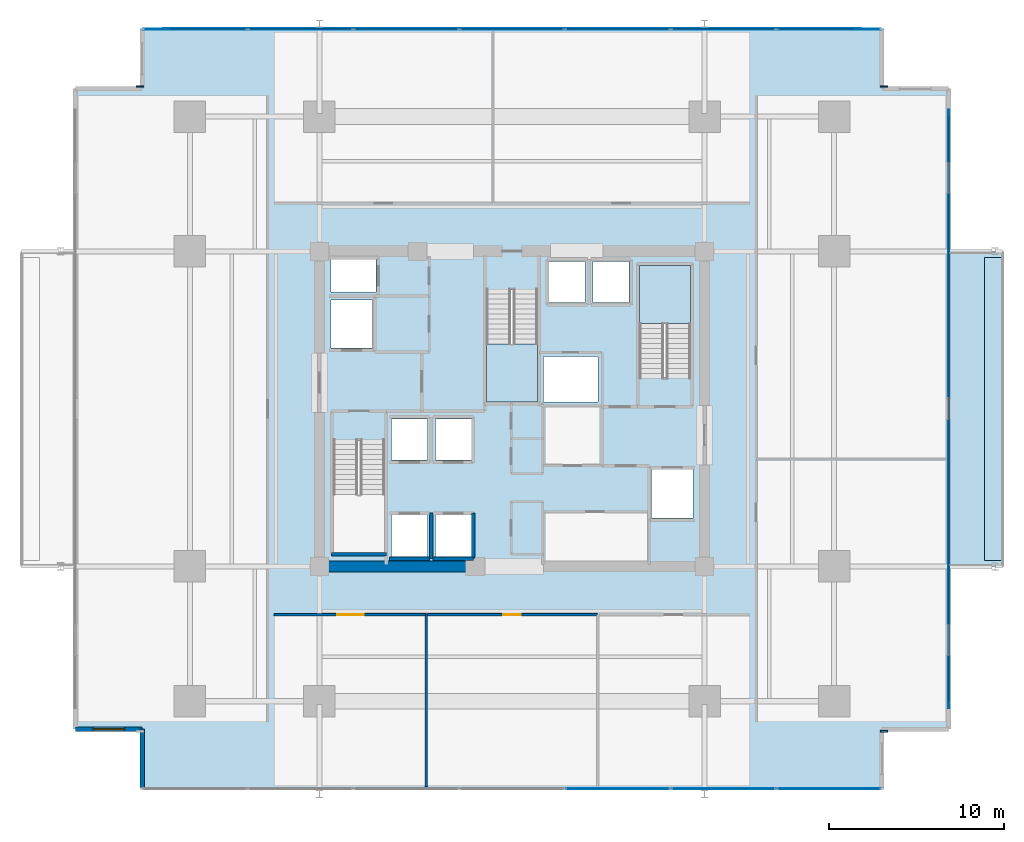
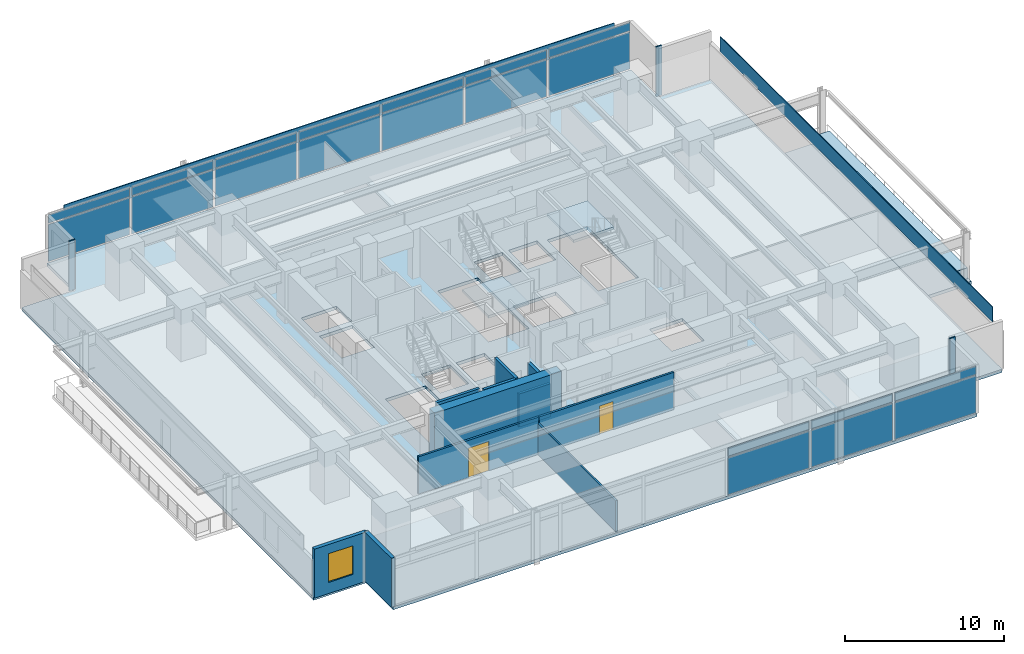
# One storey, part 14 of 21: 27 plates, 11 walls, 5 slabs, 2 doors, 1 window, 3 openings, 4 elements without a shape of their own.
"""IFC4 building model written with IfcOpenShell, lengths in metres."""

from ifc_helpers import new_model, si_unit, direction, frame, frame_2d, origin, origin_2d, place, context, subcontext, project, spatial, polyline, rectangle, outline, extrude, material, layer, layer_set, type_object, element, fill, aggregate, save


model = new_model("IFC4")

# Units and contexts
model_context = context("Model", 3, precision=1e-05, world=origin(), true_north=direction((0.0, 1.0)))
body_context = subcontext(model_context, "Body", "Model", "MODEL_VIEW")
ifc_project = project(units=[si_unit("LENGTHUNIT", "METRE"), si_unit("AREAUNIT", "SQUARE_METRE"), si_unit("VOLUMEUNIT", "CUBIC_METRE"), si_unit("PLANEANGLEUNIT", "RADIAN"), si_unit("MASSUNIT", "GRAM", prefix="KILO")], contexts=[model_context])

# Site, building, storey
site_placement = place(None, origin())
site = spatial("IfcSite", under=ifc_project, at=site_placement, CompositionType="ELEMENT")
building_placement = place(site_placement, origin())
building = spatial("IfcBuilding", under=site, at=building_placement, Name="Kovane Verandah Tower", CompositionType="ELEMENT")
storey_placement = place(building_placement, frame((0.0, 0.0, 31.60009765625)))
storey = spatial("IfcBuildingStorey", under=building, at=storey_placement, Name="L06", CompositionType="ELEMENT", Elevation=31.60009765625)

# Curtain wall, plates
ifc_material_1 = material(Name="Champagne Anodised Aluminium Frame with Low-E Clear Laminated Glass", Category="aluminium")
curtain_wall_type = type_object("IfcCurtainWallType", Name="CW-SYS-02-LOW", PredefinedType="NOTDEFINED", material=ifc_material_1)
curtain_wall_1_placement = place(storey_placement, origin())
curtain_wall_1 = element("IfcCurtainWall", 1, at=curtain_wall_1_placement, inside=storey, type_object=curtain_wall_type, Name="L06 S Unitised Curtain Wall", PredefinedType="NOTDEFINED")
ifc_material_2 = material(Name="Pale Champagne Anodised Aluminium Insulated Spandrel", Category="aluminium")
ifc_layer_1 = layer(ifc_material_2, 0.0400390625)
ifc_layer_set_1 = layer_set([ifc_layer_1], Name="Pale Champagne Anodised Aluminium Insulated Spandrel")
plate_type_1 = type_object("IfcPlateType", Name="PL-CW-SPD-40", PredefinedType="SHEET", material=ifc_layer_set_1)
plate_1_placement = place(storey_placement, frame((46.038818359375, 5.804931640625, 3.02978515625), z_axis=(0.0, 0.0, 1.0), x_axis=(1.0, 0.0, 0.0)))
plate_1 = element("IfcPlate", 2, at=plate_1_placement, type_object=plate_type_1, Name="L06 S Unitised Curtain Wall Spandrel Panel 5", PredefinedType="SHEET", context=body_context, shape_type="SweptSolid", body=[
    extrude(rectangle(XDim=5.898681640625, YDim=0.0400390625, at=origin_2d()), origin(), (0.0, 0.0, 1.0), 0.639892578125),
])
plate_2_placement = place(storey_placement, frame((52.077392578125, 5.804931640625, 3.02978515625), z_axis=(0.0, 0.0, 1.0), x_axis=(1.0, 0.0, 0.0)))
plate_2 = element("IfcPlate", 3, at=plate_2_placement, type_object=plate_type_1, Name="L06 S Unitised Curtain Wall Spandrel Panel 6", PredefinedType="SHEET", context=body_context, shape_type="SweptSolid", body=[
    extrude(rectangle(XDim=5.898681640625, YDim=0.0400390625, at=origin_2d()), origin(), (0.0, 0.0, 1.0), 0.639892578125),
])
plate_3_placement = place(storey_placement, frame((58.1162109375, 5.804931640625, 3.02978515625), z_axis=(0.0, 0.0, 1.0), x_axis=(1.0, 0.0, 0.0)))
plate_3 = element("IfcPlate", 4, at=plate_3_placement, type_object=plate_type_1, Name="L06 S Unitised Curtain Wall Spandrel Panel 7", PredefinedType="SHEET", context=body_context, shape_type="SweptSolid", body=[
    extrude(rectangle(XDim=5.898681640625, YDim=0.0400390625, at=origin_2d()), origin(), (0.0, 0.0, 1.0), 0.639892578125),
])

curtain_wall_2_placement = place(storey_placement, origin())
curtain_wall_2 = element("IfcCurtainWall", 5, at=curtain_wall_2_placement, inside=storey, type_object=curtain_wall_type, Name="L06 N Unitised Curtain Wall", PredefinedType="NOTDEFINED")
plate_4_placement = place(storey_placement, frame((58.1162109375, 49.195068359375, 3.02978515625), z_axis=(0.0, 0.0, 1.0), x_axis=(-1.0, 0.0, 0.0)))
plate_4 = element("IfcPlate", 6, at=plate_4_placement, type_object=plate_type_1, Name="L06 N Unitised Curtain Wall Spandrel Panel 1", PredefinedType="SHEET", context=body_context, shape_type="SweptSolid", body=[
    extrude(rectangle(XDim=5.898681640625, YDim=0.0400390625, at=origin_2d()), origin(), (0.0, 0.0, 1.0), 0.639892578125),
])
plate_5_placement = place(storey_placement, frame((52.077392578125, 49.195068359375, 3.02978515625), z_axis=(0.0, 0.0, 1.0), x_axis=(-1.0, 0.0, 0.0)))
plate_5 = element("IfcPlate", 7, at=plate_5_placement, type_object=plate_type_1, Name="L06 N Unitised Curtain Wall Spandrel Panel 2", PredefinedType="SHEET", context=body_context, shape_type="SweptSolid", body=[
    extrude(rectangle(XDim=5.898681640625, YDim=0.0400390625, at=origin_2d()), origin(), (0.0, 0.0, 1.0), 0.639892578125),
])
plate_6_placement = place(storey_placement, frame((46.038818359375, 49.195068359375, 3.02978515625), z_axis=(0.0, 0.0, 1.0), x_axis=(-1.0, 0.0, 0.0)))
plate_6 = element("IfcPlate", 8, at=plate_6_placement, type_object=plate_type_1, Name="L06 N Unitised Curtain Wall Spandrel Panel 3", PredefinedType="SHEET", context=body_context, shape_type="SweptSolid", body=[
    extrude(rectangle(XDim=5.898681640625, YDim=0.0400390625, at=origin_2d()), origin(), (0.0, 0.0, 1.0), 0.639892578125),
])
plate_7_placement = place(storey_placement, frame((40.0, 49.195068359375, 3.02978515625), z_axis=(0.0, 0.0, 1.0), x_axis=(-1.0, 0.0, 0.0)))
plate_7 = element("IfcPlate", 9, at=plate_7_placement, type_object=plate_type_1, Name="L06 N Unitised Curtain Wall Spandrel Panel 4", PredefinedType="SHEET", context=body_context, shape_type="SweptSolid", body=[
    extrude(rectangle(XDim=5.898681640625, YDim=0.0400390625, at=origin_2d()), origin(), (0.0, 0.0, 1.0), 0.639892578125),
])
plate_8_placement = place(storey_placement, frame((33.961181640625, 49.195068359375, 3.02978515625), z_axis=(0.0, 0.0, 1.0), x_axis=(-1.0, 0.0, 0.0)))
plate_8 = element("IfcPlate", 10, at=plate_8_placement, type_object=plate_type_1, Name="L06 N Unitised Curtain Wall Spandrel Panel 5", PredefinedType="SHEET", context=body_context, shape_type="SweptSolid", body=[
    extrude(rectangle(XDim=5.898681640625, YDim=0.0400390625, at=origin_2d()), origin(), (0.0, 0.0, 1.0), 0.639892578125),
])
plate_9_placement = place(storey_placement, frame((27.922607421875, 49.195068359375, 3.02978515625), z_axis=(0.0, 0.0, 1.0), x_axis=(-1.0, 0.0, 0.0)))
plate_9 = element("IfcPlate", 11, at=plate_9_placement, type_object=plate_type_1, Name="L06 N Unitised Curtain Wall Spandrel Panel 6", PredefinedType="SHEET", context=body_context, shape_type="SweptSolid", body=[
    extrude(rectangle(XDim=5.898681640625, YDim=0.0400390625, at=origin_2d()), origin(), (0.0, 0.0, 1.0), 0.639892578125),
])
plate_10_placement = place(storey_placement, frame((21.8837890625, 49.195068359375, 3.02978515625), z_axis=(0.0, 0.0, 1.0), x_axis=(-1.0, 0.0, 0.0)))
plate_10 = element("IfcPlate", 12, at=plate_10_placement, type_object=plate_type_1, Name="L06 N Unitised Curtain Wall Spandrel Panel 7", PredefinedType="SHEET", context=body_context, shape_type="SweptSolid", body=[
    extrude(rectangle(XDim=5.898681640625, YDim=0.0400390625, at=origin_2d()), origin(), (0.0, 0.0, 1.0), 0.639892578125),
])

# Plate
ifc_material_3 = material(Name="Clear Low-E Laminated Double Glazing", Category="glass")
ifc_layer_2 = layer(ifc_material_3, 0.031982421875)
ifc_layer_set_2 = layer_set([ifc_layer_2], Name="Clear Low-E Laminated Double Glazing")
plate_type_2 = type_object("IfcPlateType", Name="PL-CW-VIS-32", PredefinedType="CURTAIN_PANEL", material=ifc_layer_set_2)
plate_11_placement = place(storey_placement, frame((46.038818359375, 5.804931640625, 0.099853515625), z_axis=(0.0, 0.0, 1.0), x_axis=(1.0, 0.0, 0.0)))
plate_11 = element("IfcPlate", 13, at=plate_11_placement, type_object=plate_type_2, Name="L06 S Unitised Curtain Wall Vision Panel 5", PredefinedType="CURTAIN_PANEL", context=body_context, shape_type="SweptSolid", body=[
    extrude(rectangle(XDim=5.898681640625, YDim=0.031982421875, at=origin_2d()), origin(), (0.0, 0.0, 1.0), 2.830078125),
])

plate_12_placement = place(storey_placement, frame((52.077392578125, 5.804931640625, 0.099853515625), z_axis=(0.0, 0.0, 1.0), x_axis=(1.0, 0.0, 0.0)))
plate_12 = element("IfcPlate", 14, at=plate_12_placement, type_object=plate_type_2, Name="L06 S Unitised Curtain Wall Vision Panel 6", PredefinedType="CURTAIN_PANEL", context=body_context, shape_type="SweptSolid", body=[
    extrude(rectangle(XDim=5.898681640625, YDim=0.031982421875, at=origin_2d()), origin(), (0.0, 0.0, 1.0), 2.830078125),
])

plate_13_placement = place(storey_placement, frame((58.1162109375, 5.804931640625, 0.099853515625), z_axis=(0.0, 0.0, 1.0), x_axis=(1.0, 0.0, 0.0)))
plate_13 = element("IfcPlate", 15, at=plate_13_placement, type_object=plate_type_2, Name="L06 S Unitised Curtain Wall Vision Panel 7", PredefinedType="CURTAIN_PANEL", context=body_context, shape_type="SweptSolid", body=[
    extrude(rectangle(XDim=5.898681640625, YDim=0.031982421875, at=origin_2d()), origin(), (0.0, 0.0, 1.0), 2.830078125),
])

aggregate(curtain_wall_1, [plate_11, plate_1, plate_12, plate_2, plate_13, plate_3])

plate_14_placement = place(storey_placement, frame((58.1162109375, 49.195068359375, 0.099853515625), z_axis=(0.0, 0.0, 1.0), x_axis=(-1.0, 0.0, 0.0)))
plate_14 = element("IfcPlate", 16, at=plate_14_placement, type_object=plate_type_2, Name="L06 N Unitised Curtain Wall Vision Panel 1", PredefinedType="CURTAIN_PANEL", context=body_context, shape_type="SweptSolid", body=[
    extrude(rectangle(XDim=5.898681640625, YDim=0.031982421875, at=origin_2d()), origin(), (0.0, 0.0, 1.0), 2.830078125),
])

plate_15_placement = place(storey_placement, frame((52.077392578125, 49.195068359375, 0.099853515625), z_axis=(0.0, 0.0, 1.0), x_axis=(-1.0, 0.0, 0.0)))
plate_15 = element("IfcPlate", 17, at=plate_15_placement, type_object=plate_type_2, Name="L06 N Unitised Curtain Wall Vision Panel 2", PredefinedType="CURTAIN_PANEL", context=body_context, shape_type="SweptSolid", body=[
    extrude(rectangle(XDim=5.898681640625, YDim=0.031982421875, at=origin_2d()), origin(), (0.0, 0.0, 1.0), 2.830078125),
])

plate_16_placement = place(storey_placement, frame((46.038818359375, 49.195068359375, 0.099853515625), z_axis=(0.0, 0.0, 1.0), x_axis=(-1.0, 0.0, 0.0)))
plate_16 = element("IfcPlate", 18, at=plate_16_placement, type_object=plate_type_2, Name="L06 N Unitised Curtain Wall Vision Panel 3", PredefinedType="CURTAIN_PANEL", context=body_context, shape_type="SweptSolid", body=[
    extrude(rectangle(XDim=5.898681640625, YDim=0.031982421875, at=origin_2d()), origin(), (0.0, 0.0, 1.0), 2.830078125),
])

plate_17_placement = place(storey_placement, frame((40.0, 49.195068359375, 0.099853515625), z_axis=(0.0, 0.0, 1.0), x_axis=(-1.0, 0.0, 0.0)))
plate_17 = element("IfcPlate", 19, at=plate_17_placement, type_object=plate_type_2, Name="L06 N Unitised Curtain Wall Vision Panel 4", PredefinedType="CURTAIN_PANEL", context=body_context, shape_type="SweptSolid", body=[
    extrude(rectangle(XDim=5.898681640625, YDim=0.031982421875, at=origin_2d()), origin(), (0.0, 0.0, 1.0), 2.830078125),
])

plate_18_placement = place(storey_placement, frame((33.961181640625, 49.195068359375, 0.099853515625), z_axis=(0.0, 0.0, 1.0), x_axis=(-1.0, 0.0, 0.0)))
plate_18 = element("IfcPlate", 20, at=plate_18_placement, type_object=plate_type_2, Name="L06 N Unitised Curtain Wall Vision Panel 5", PredefinedType="CURTAIN_PANEL", context=body_context, shape_type="SweptSolid", body=[
    extrude(rectangle(XDim=5.898681640625, YDim=0.031982421875, at=origin_2d()), origin(), (0.0, 0.0, 1.0), 2.830078125),
])

plate_19_placement = place(storey_placement, frame((27.922607421875, 49.195068359375, 0.099853515625), z_axis=(0.0, 0.0, 1.0), x_axis=(-1.0, 0.0, 0.0)))
plate_19 = element("IfcPlate", 21, at=plate_19_placement, type_object=plate_type_2, Name="L06 N Unitised Curtain Wall Vision Panel 6", PredefinedType="CURTAIN_PANEL", context=body_context, shape_type="SweptSolid", body=[
    extrude(rectangle(XDim=5.898681640625, YDim=0.031982421875, at=origin_2d()), origin(), (0.0, 0.0, 1.0), 2.830078125),
])

plate_20_placement = place(storey_placement, frame((21.8837890625, 49.195068359375, 0.099853515625), z_axis=(0.0, 0.0, 1.0), x_axis=(-1.0, 0.0, 0.0)))
plate_20 = element("IfcPlate", 22, at=plate_20_placement, type_object=plate_type_2, Name="L06 N Unitised Curtain Wall Vision Panel 7", PredefinedType="CURTAIN_PANEL", context=body_context, shape_type="SweptSolid", body=[
    extrude(rectangle(XDim=5.898681640625, YDim=0.031982421875, at=origin_2d()), origin(), (0.0, 0.0, 1.0), 2.830078125),
])

aggregate(curtain_wall_2, [plate_14, plate_4, plate_15, plate_5, plate_16, plate_6, plate_17, plate_7, plate_18, plate_8, plate_19, plate_9, plate_20, plate_10])

# Plates
ifc_material_4 = material(Name="Timber-Toned Subtropical Aluminium Vertical Blade", Category="wood")
ifc_layer_3 = layer(ifc_material_4, 0.090087890625)
ifc_layer_set_3 = layer_set([ifc_layer_3], Name="Timber-Toned Subtropical Aluminium Vertical Blade")
plate_type_3 = type_object("IfcPlateType", Name="PL-FIN-90", PredefinedType="USERDEFINED", material=ifc_layer_set_3)
for number, where, z_axis, x_axis, name in (
    (23, (61.255615234375, 9.0849609375, -0.02001953125), (0.0, 0.0, 1.0), (1.0, 0.0, 0.0), "L06 SE Timber-Toned Vertical Corner Fin"),
    (24, (61.255615234375, 45.9150390625, -0.02001953125), (0.0, 0.0, 1.0), (1.0, 0.0, 0.0), "L06 NE Timber-Toned Vertical Corner Fin"),
    (25, (18.744384765625, 45.9150390625, -0.02001953125), (0.0, 0.0, 1.0), (1.0, 0.0, 0.0), "L06 NW Timber-Toned Vertical Corner Fin"),
):
    element("IfcPlate", number, at=place(storey_placement, frame(where, z_axis=z_axis, x_axis=x_axis)), inside=storey, type_object=plate_type_3, Name=name, ObjectType="FIN", PredefinedType="USERDEFINED", context=body_context, shape_type="SweptSolid", body=[
        extrude(rectangle(XDim=0.419921875, YDim=0.090087890625, at=origin_2d()), origin(), (0.0, 0.0, 1.0), 3.820068359375),
    ])
ifc_material_5 = material(Name="Perforated Pale Champagne Anodised Aluminium Solar Screen", Category="aluminium")
ifc_layer_4 = layer(ifc_material_5, 0.050048828125)
ifc_layer_set_4 = layer_set([ifc_layer_4], Name="Perforated Pale Champagne Anodised Aluminium Solar Screen")
plate_type_4 = type_object("IfcPlateType", Name="PL-SCREEN-50", PredefinedType="USERDEFINED", material=ifc_layer_set_4)
plate_21_placement = place(storey_placement, frame((64.95068359375, 27.5, 2.85986328125), z_axis=(0.0, 0.0, 1.0), x_axis=(0.0, 1.0, 0.0)))
element("IfcPlate", 26, at=plate_21_placement, inside=storey, type_object=plate_type_4, Name="L06 E Perforated Champagne-Gold Solar Screen", ObjectType="SCREEN", PredefinedType="USERDEFINED", context=body_context, shape_type="SweptSolid", body=[
    extrude(rectangle(XDim=34.18994140625, YDim=0.050048828125, at=origin_2d()), origin(), (0.0, 0.0, 1.0), 1.14990234375),
])
plate_22_placement = place(storey_placement, frame((40.0, 49.2099609375, 2.85986328125), z_axis=(0.0, 0.0, 1.0), x_axis=(-1.0, 0.0, 0.0)))
element("IfcPlate", 27, at=plate_22_placement, inside=storey, type_object=plate_type_4, Name="L06 N Perforated Champagne-Gold Solar Screen", ObjectType="SCREEN", PredefinedType="USERDEFINED", context=body_context, shape_type="SweptSolid", body=[
    extrude(rectangle(XDim=39.87109375, YDim=0.050048828125, at=origin_2d()), origin(), (0.0, 0.0, 1.0), 1.14990234375),
])
ifc_material_6 = material(Name="Extruded Pale-Bronze Aluminium Aerofoil Sunshade", Category="aluminium")
ifc_layer_5 = layer(ifc_material_6, 0.06005859375)
ifc_layer_set_5 = layer_set([ifc_layer_5], Name="Extruded Pale-Bronze Aluminium Aerofoil Sunshade")
plate_type_5 = type_object("IfcPlateType", Name="PL-SUNSHADE-60", PredefinedType="USERDEFINED", material=ifc_layer_set_5)
plate_23_placement = place(storey_placement, frame((64.955810546875, 27.5, 3.73974609375), z_axis=(0.0, 0.0, 1.0), x_axis=(0.0, 1.0, 0.0)))
element("IfcPlate", 28, at=plate_23_placement, inside=storey, type_object=plate_type_5, Name="L06 E Subtropical Aerofoil Sunshade", ObjectType="SUNSHADE", PredefinedType="USERDEFINED", context=body_context, shape_type="SweptSolid", body=[
    extrude(rectangle(XDim=33.389892578125, YDim=0.06005859375, at=origin_2d()), origin(), (0.0, 0.0, 1.0), 0.280029296875),
])
plate_24_placement = place(storey_placement, frame((40.0, 49.215087890625, 3.73974609375), z_axis=(0.0, 0.0, 1.0), x_axis=(-1.0, 0.0, 0.0)))
element("IfcPlate", 29, at=plate_24_placement, inside=storey, type_object=plate_type_5, Name="L06 N Subtropical Aerofoil Sunshade", ObjectType="SUNSHADE", PredefinedType="USERDEFINED", context=body_context, shape_type="SweptSolid", body=[
    extrude(rectangle(XDim=39.071044921875, YDim=0.06005859375, at=origin_2d()), origin(), (0.0, 0.0, 1.0), 0.280029296875),
])

# Slab
ifc_material_7 = material(Name="Concrete C45/55", Category="concrete")
ifc_layer_6 = layer(ifc_material_7, 0.239990234375)
ifc_layer_set_6 = layer_set([ifc_layer_6], Name="Concrete C45/55")
slab_type_1 = type_object("IfcSlabType", Name="SL-BALC-240", PredefinedType="FLOOR", material=ifc_layer_set_6)
slab_1_placement = place(storey_placement, frame((0.0, 0.0, -0.239990234375)))
element("IfcSlab", 30, at=slab_1_placement, inside=storey, type_object=slab_type_1, Name="L06 E Planted Verandah Balcony Slab", PredefinedType="FLOOR", context=body_context, shape_type="SweptSolid", body=[
    extrude(outline(polyline([(64.935791015625, 18.5), (68.085693359375, 18.5), (68.085693359375, 36.5), (64.935791015625, 36.5), (64.935791015625, 18.5)])), origin(), (0.0, 0.0, 1.0), 0.239990234375),
])

# Stair, slab
stair_type = type_object("IfcStairType", Name="ST-CORE-1380", PredefinedType="HALF_TURN_STAIR", material=ifc_material_7)
stair_1_placement = place(storey_placement, origin())
stair_1 = element("IfcStair", 31, at=stair_1_placement, inside=storey, type_object=stair_type, Name="L06 Exit Stair ST-02", PredefinedType="HALF_TURN_STAIR")
ifc_layer_7 = layer(ifc_material_7, 0.199951171875)
ifc_layer_set_7 = layer_set([ifc_layer_7], Name="Concrete C45/55")
slab_type_2 = type_object("IfcSlabType", Name="SL-LAND-200", PredefinedType="LANDING", material=ifc_layer_set_7)
slab_2_placement = place(storey_placement, frame((0.0, 0.0, 1.7998046875)))
slab_2 = element("IfcSlab", 32, at=slab_2_placement, type_object=slab_type_2, Name="ST-02 landing 1", PredefinedType="LANDING", context=body_context, shape_type="SweptSolid", body=[
    extrude(outline(polyline([(50.199951171875, 32.385009765625), (50.199951171875, 35.699951171875), (47.280029296875, 35.699951171875), (47.280029296875, 32.385009765625), (50.199951171875, 32.385009765625)])), origin(), (0.0, 0.0, 1.0), 0.2001953125),
])
aggregate(stair_1, [slab_2])

stair_2_placement = place(storey_placement, origin())
stair_2 = element("IfcStair", 33, at=stair_2_placement, inside=storey, type_object=stair_type, Name="L06 Exit Stair ST-03", PredefinedType="HALF_TURN_STAIR")
slab_3_placement = place(storey_placement, frame((0.0, 0.0, 1.7998046875)))
slab_3 = element("IfcSlab", 34, at=slab_3_placement, type_object=slab_type_2, Name="ST-03 landing 1", PredefinedType="LANDING", context=body_context, shape_type="SweptSolid", body=[
    extrude(outline(polyline([(38.5400390625, 31.215087890625), (38.5400390625, 27.89990234375), (41.4599609375, 27.89990234375), (41.4599609375, 31.215087890625), (38.5400390625, 31.215087890625)])), origin(), (0.0, 0.0, 1.0), 0.2001953125),
])
aggregate(stair_2, [slab_3])

# Slabs
ifc_material_8 = material(Name="Architectural Precast Concrete C45/55 Planter Trough", Category="concrete")
ifc_layer_8 = layer(ifc_material_8, 0.219970703125)
ifc_layer_set_8 = layer_set([ifc_layer_8], Name="Architectural Precast Concrete C45/55 Planter Trough")
slab_type_3 = type_object("IfcSlabType", Name="SL-PLANTER-220", PredefinedType="USERDEFINED", material=ifc_layer_set_8)
slab_4_placement = place(storey_placement, origin())
element("IfcSlab", 35, at=slab_4_placement, inside=storey, type_object=slab_type_3, Name="L06 E Structural Tree Planter", ObjectType="PLANTER", PredefinedType="USERDEFINED", context=body_context, shape_type="SweptSolid", body=[
    extrude(outline(polyline([(66.985595703125, 18.85009765625), (67.985595703125, 18.85009765625), (67.985595703125, 36.14990234375), (66.985595703125, 36.14990234375), (66.985595703125, 18.85009765625)])), origin(), (0.0, 0.0, 1.0), 0.849853515625),
])
ifc_layer_9 = layer(ifc_material_7, 0.239990234375)
ifc_layer_set_9 = layer_set([ifc_layer_9], Name="Concrete C45/55")
slab_type_4 = type_object("IfcSlabType", Name="SL-TYP-240", PredefinedType="FLOOR", material=ifc_layer_set_9)
slab_5_placement = place(storey_placement, frame((0.0, 0.0, -0.239990234375)))
element("IfcSlab", 36, at=slab_5_placement, inside=storey, type_object=slab_type_4, Name="L06 Structural Floor Slab", PredefinedType="FLOOR", context=body_context, shape_type="SweptSolid", body=[
    extrude(outline(polyline([(18.8642578125, 5.804931640625), (61.1357421875, 5.804931640625), (61.1357421875, 9.205078125), (64.935791015625, 9.205078125), (64.935791015625, 45.794921875), (61.1357421875, 45.794921875), (61.1357421875, 49.195068359375), (18.8642578125, 49.195068359375), (18.8642578125, 45.794921875), (15.064208984375, 45.794921875), (15.064208984375, 9.205078125), (18.8642578125, 9.205078125), (18.8642578125, 5.804931640625)]), holes=[polyline([(29.800048828125, 19.300048828125), (32.719970703125, 19.300048828125), (32.719970703125, 25.705078125), (29.800048828125, 25.705078125), (29.800048828125, 19.300048828125)]), polyline([(47.280029296875, 29.294921875), (50.199951171875, 29.294921875), (50.199951171875, 35.699951171875), (47.280029296875, 35.699951171875), (47.280029296875, 29.294921875)]), polyline([(38.5400390625, 27.89990234375), (41.4599609375, 27.89990234375), (41.4599609375, 34.304931640625), (38.5400390625, 34.304931640625), (38.5400390625, 27.89990234375)]), polyline([(29.669921875, 30.969970703125), (32.030029296875, 30.969970703125), (32.030029296875, 33.72998046875), (29.669921875, 33.72998046875), (29.669921875, 30.969970703125)]), polyline([(47.969970703125, 21.27001953125), (50.330078125, 21.27001953125), (50.330078125, 24.030029296875), (47.969970703125, 24.030029296875), (47.969970703125, 21.27001953125)]), polyline([(29.669921875, 34.169921875), (32.22998046875, 34.169921875), (32.22998046875, 36.030029296875), (29.669921875, 36.030029296875), (29.669921875, 34.169921875)]), polyline([(33.1201171875, 19.070068359375), (35.179931640625, 19.070068359375), (35.179931640625, 21.429931640625), (33.1201171875, 21.429931640625), (33.1201171875, 19.070068359375)]), polyline([(35.6201171875, 19.070068359375), (37.679931640625, 19.070068359375), (37.679931640625, 21.429931640625), (35.6201171875, 21.429931640625), (35.6201171875, 19.070068359375)]), polyline([(33.1201171875, 24.570068359375), (35.179931640625, 24.570068359375), (35.179931640625, 26.929931640625), (33.1201171875, 26.929931640625), (33.1201171875, 24.570068359375)]), polyline([(35.6201171875, 24.570068359375), (37.679931640625, 24.570068359375), (37.679931640625, 26.929931640625), (35.6201171875, 26.929931640625), (35.6201171875, 24.570068359375)]), polyline([(42.1201171875, 33.570068359375), (44.179931640625, 33.570068359375), (44.179931640625, 35.929931640625), (42.1201171875, 35.929931640625), (42.1201171875, 33.570068359375)]), polyline([(44.6201171875, 33.570068359375), (46.679931640625, 33.570068359375), (46.679931640625, 35.929931640625), (44.6201171875, 35.929931640625), (44.6201171875, 33.570068359375)]), polyline([(41.800048828125, 27.89990234375), (44.89990234375, 27.89990234375), (44.89990234375, 30.5), (41.800048828125, 30.5), (41.800048828125, 27.89990234375)])]), origin(), (0.0, 0.0, 1.0), 0.239990234375),
])

# Wall, opening, door
ifc_material_9 = material(Name="Fire-Rated Gypsum Stud Partition", Category="gypsum")
ifc_layer_10 = layer(ifc_material_9, 0.14990234375)
ifc_layer_set_10 = layer_set([ifc_layer_10], Name="Fire-Rated Gypsum Stud Partition")
wall_type_1 = type_object("IfcWallType", Name="WL-COR-150", PredefinedType="PARTITIONING", material=ifc_layer_set_10)
wall_1_placement = place(storey_placement, frame((26.39990234375, 15.75, 0.0), z_axis=(0.0, 0.0, 1.0), x_axis=(1.0, 0.0, 0.0)))
wall_1 = element("IfcWall", 37, at=wall_1_placement, inside=storey, type_object=wall_type_1, Name="L06 Client Boardroom S1 Corridor Partition", PredefinedType="PARTITIONING", context=body_context, shape_type="SweptSolid", body=[
    extrude(rectangle(XDim=8.7041015625, YDim=0.14990234375, at=frame_2d((4.35205078125, 0.0))), origin(), (0.0, 0.0, 1.0), 2.849853515625),
])
opening_1_placement = place(wall_1_placement, frame((3.616943359375, 0.0, 0.0)))
opening_1 = element("IfcOpeningElement", 38, at=opening_1_placement, cuts=wall_1, Name="Opening DR-L06-019", PredefinedType="OPENING", context=body_context, shape_type="SweptSolid", body=[
    extrude(rectangle(XDim=1.5, YDim=2.25, at=frame_2d((0.75, 1.125))), frame((0.0, 0.074951171875, 0.0), z_axis=(0.0, -1.0, 0.0), x_axis=(1.0, 0.0, 0.0)), (0.0, 0.0, 1.0), 0.14990234375),
])
ifc_material_10 = material(Name="Glazed Timber Fire-Rated Double Door", Category="wood")
door_type_1 = type_object("IfcDoorType", Name="DR-CONF-1500", OperationType="DOUBLE_DOOR_SINGLE_SWING", PredefinedType="DOOR", material=ifc_material_10)
door_1_placement = place(opening_1_placement, origin())
door_1 = element("IfcDoor", 39, at=door_1_placement, inside=storey, type_object=door_type_1, Name="L06 Client Boardroom S1 Entrance Door", OperationType="DOUBLE_DOOR_SINGLE_SWING", OverallHeight=2.25, OverallWidth=1.5, PredefinedType="DOOR", context=body_context, shape_type="SweptSolid", body=[
    extrude(rectangle(XDim=1.5, YDim=2.25, at=frame_2d((0.75, 1.125))), frame((0.0, 0.02490234375, 0.0), z_axis=(0.0, -1.0, 0.0), x_axis=(1.0, 0.0, 0.0)), (0.0, 0.0, 1.0), 0.050048828125),
])
fill(opening_1, door_1)

wall_2_placement = place(storey_placement, frame((35.174072265625, 15.75, 0.0), z_axis=(0.0, 0.0, 1.0), x_axis=(1.0, 0.0, 0.0)))
wall_2 = element("IfcWall", 40, at=wall_2_placement, inside=storey, type_object=wall_type_1, Name="L06 Meeting Room S2 Corridor Partition", PredefinedType="PARTITIONING", context=body_context, shape_type="SweptSolid", body=[
    extrude(rectangle(XDim=9.721923828125, YDim=0.14990234375, at=frame_2d((4.86083984375, 0.0))), origin(), (0.0, 0.0, 1.0), 2.849853515625),
])
opening_2_placement = place(wall_2_placement, frame((4.325927734375, 0.0, 0.0)))
opening_2 = element("IfcOpeningElement", 41, at=opening_2_placement, cuts=wall_2, Name="Opening DR-L06-020", PredefinedType="OPENING", context=body_context, shape_type="SweptSolid", body=[
    extrude(rectangle(XDim=1.0, YDim=2.14990234375, at=frame_2d((0.5, 1.074951171875))), frame((0.0, 0.074951171875, 0.0), z_axis=(0.0, -1.0, 0.0), x_axis=(1.0, 0.0, 0.0)), (0.0, 0.0, 1.0), 0.14990234375),
])
ifc_material_11 = material(Name="FSC Spotted-Gum Timber Fire-Rated Office Door", Category="wood")
door_type_2 = type_object("IfcDoorType", Name="DR-OFF-1000", OperationType="SINGLE_SWING_LEFT", PredefinedType="DOOR", material=ifc_material_11)
door_2_placement = place(opening_2_placement, origin())
door_2 = element("IfcDoor", 42, at=door_2_placement, inside=storey, type_object=door_type_2, Name="L06 Meeting Room S2 Entrance Door", OperationType="SINGLE_SWING_LEFT", OverallHeight=2.14990234375, OverallWidth=1.0, PredefinedType="DOOR", context=body_context, shape_type="SweptSolid", body=[
    extrude(rectangle(XDim=1.0, YDim=2.14990234375, at=frame_2d((0.5, 1.074951171875))), frame((0.0, 0.02490234375, 0.0), z_axis=(0.0, -1.0, 0.0), x_axis=(1.0, 0.0, 0.0)), (0.0, 0.0, 1.0), 0.050048828125),
])
fill(opening_2, door_2)

# Walls
ifc_material_12 = material(Name="Concrete C80/95", Category="concrete")
ifc_layer_11 = layer(ifc_material_12, 0.64990234375)
ifc_layer_set_11 = layer_set([ifc_layer_11], Name="Concrete C80/95")
wall_type_2 = type_object("IfcWallType", Name="WL-CORE-650", PredefinedType="SHEAR", material=ifc_layer_set_11)
wall_3_placement = place(storey_placement, frame((29.0, 18.5, 0.0), z_axis=(0.0, 0.0, 1.0), x_axis=(1.0, 0.0, 0.0)))
element("IfcWall", 43, at=wall_3_placement, inside=storey, type_object=wall_type_2, Name="L06 Core Shear Wall CS-1", PredefinedType="SHEAR", context=body_context, shape_type="SweptSolid", body=[
    extrude(rectangle(XDim=9.199951171875, YDim=0.64990234375, at=frame_2d((4.60009765625, 0.0))), origin(), (0.0, 0.0, 1.0), 3.760009765625),
])
ifc_material_13 = material(Name="Concrete C45/55 Lift Shaft Wall", Category="concrete")
ifc_layer_12 = layer(ifc_material_13, 0.199951171875)
ifc_layer_set_12 = layer_set([ifc_layer_12], Name="Concrete C45/55 Lift Shaft Wall")
wall_type_3 = type_object("IfcWallType", Name="WL-LIFT-200", PredefinedType="SOLIDWALL", material=ifc_layer_set_12)
wall_4_placement = place(storey_placement, frame((33.0, 18.949951171875, 0.0), z_axis=(0.0, 0.0, 1.0), x_axis=(1.0, 0.0, 0.0)))
element("IfcWall", 44, at=wall_4_placement, inside=storey, type_object=wall_type_3, Name="L06 Lift PL-L1 S Shaft Wall", PredefinedType="SOLIDWALL", context=body_context, shape_type="SweptSolid", body=[
    extrude(rectangle(XDim=2.300048828125, YDim=0.199951171875, at=frame_2d((1.14990234375, 0.0))), origin(), (0.0, 0.0, 1.0), 3.760009765625),
])
wall_5_placement = place(storey_placement, frame((35.39990234375, 18.949951171875, 0.0), z_axis=(0.0, 0.0, 1.0), x_axis=(0.0, 1.0, 0.0)))
element("IfcWall", 45, at=wall_5_placement, inside=storey, type_object=wall_type_3, Name="L06 Lift PL-L1 and PL-L2 Shared Shaft Wall", PredefinedType="SOLIDWALL", context=body_context, shape_type="SweptSolid", body=[
    extrude(rectangle(XDim=2.60009765625, YDim=0.199951171875, at=frame_2d((1.300048828125, 0.0))), origin(), (0.0, 0.0, 1.0), 3.760009765625),
])
wall_6_placement = place(storey_placement, frame((35.5, 18.949951171875, 0.0), z_axis=(0.0, 0.0, 1.0), x_axis=(1.0, 0.0, 0.0)))
element("IfcWall", 46, at=wall_6_placement, inside=storey, type_object=wall_type_3, Name="L06 Lift PL-L2 S Shaft Wall", PredefinedType="SOLIDWALL", context=body_context, shape_type="SweptSolid", body=[
    extrude(rectangle(XDim=2.300048828125, YDim=0.199951171875, at=frame_2d((1.14990234375, 0.0))), origin(), (0.0, 0.0, 1.0), 2.539794921875),
])
wall_7_placement = place(storey_placement, frame((37.800048828125, 18.949951171875, 0.0), z_axis=(0.0, 0.0, 1.0), x_axis=(0.0, 1.0, 0.0)))
element("IfcWall", 47, at=wall_7_placement, inside=storey, type_object=wall_type_3, Name="L06 Lift PL-L2 E Shaft Wall", PredefinedType="SOLIDWALL", context=body_context, shape_type="SweptSolid", body=[
    extrude(rectangle(XDim=2.60009765625, YDim=0.199951171875, at=frame_2d((1.300048828125, 0.0))), origin(), (0.0, 0.0, 1.0), 2.539794921875),
])
ifc_material_14 = material(Name="Acoustic Fire-Rated Gypsum Partition", Category="gypsum")
ifc_layer_13 = layer(ifc_material_14, 0.1201171875)
ifc_layer_set_13 = layer_set([ifc_layer_13], Name="Acoustic Fire-Rated Gypsum Partition")
wall_type_4 = type_object("IfcWallType", Name="WL-PART-120", PredefinedType="PARTITIONING", material=ifc_layer_set_13)
wall_8_placement = place(storey_placement, frame((35.10400390625, 5.905029296875, 0.0), z_axis=(0.0, 0.0, 1.0), x_axis=(0.0, 1.0, 0.0)))
element("IfcWall", 48, at=wall_8_placement, inside=storey, type_object=wall_type_4, Name="L06 Client Boardroom S1 Dividing Partition", PredefinedType="PARTITIONING", context=body_context, shape_type="SweptSolid", body=[
    extrude(rectangle(XDim=9.844970703125, YDim=0.1201171875, at=frame_2d((4.92236328125, 0.0))), origin(), (0.0, 0.0, 1.0), 2.389892578125),
])
ifc_layer_14 = layer(ifc_material_7, 0.199951171875)
ifc_layer_set_14 = layer_set([ifc_layer_14], Name="Concrete C45/55")
wall_type_5 = type_object("IfcWallType", Name="WL-SHAFT-200", PredefinedType="SOLIDWALL", material=ifc_layer_set_14)
wall_9_placement = place(storey_placement, frame((29.699951171875, 19.199951171875, 0.0), z_axis=(0.0, 0.0, 1.0), x_axis=(1.0, 0.0, 0.0)))
element("IfcWall", 49, at=wall_9_placement, inside=storey, type_object=wall_type_5, Name="W-L06-ST01-S", PredefinedType="SOLIDWALL", context=body_context, shape_type="SweptSolid", body=[
    extrude(rectangle(XDim=3.1201171875, YDim=0.199951171875, at=frame_2d((1.56005859375, 0.0))), origin(), (0.0, 0.0, 1.0), 3.760009765625),
])

# Wall, opening, window
ifc_material_15 = material(Name="Concrete C45/55 Insulated Spandrel Wall", Category="concrete")
ifc_layer_15 = layer(ifc_material_15, 0.260009765625)
ifc_layer_set_15 = layer_set([ifc_layer_15], Name="Concrete C45/55 Insulated Spandrel Wall")
wall_type_6 = type_object("IfcWallType", Name="WL-SPANDREL-260", PredefinedType="PARAPET", material=ifc_layer_set_15)
wall_10_placement = place(storey_placement, frame((15.064208984375, 9.205078125, 0.0), z_axis=(0.0, 0.0, 1.0), x_axis=(1.0, 0.0, 0.0)))
wall_10 = element("IfcWall", 50, at=wall_10_placement, inside=storey, type_object=wall_type_6, Name="L06 SW Notch Cheek Wall 1", PredefinedType="PARAPET", context=body_context, shape_type="SweptSolid", body=[
    extrude(rectangle(XDim=3.800048828125, YDim=0.260009765625, at=frame_2d((1.89990234375, 0.0))), origin(), (0.0, 0.0, 1.0), 3.760009765625),
])
opening_3_placement = place(wall_10_placement, frame((1.0, 0.0, 0.85009765625)))
opening_3 = element("IfcOpeningElement", 51, at=opening_3_placement, cuts=wall_10, Name="Opening W-03", PredefinedType="OPENING", context=body_context, shape_type="SweptSolid", body=[
    extrude(rectangle(XDim=1.800048828125, YDim=2.199951171875, at=frame_2d((0.89990234375, 1.10009765625))), frame((0.0, 0.1298828125, 0.0), z_axis=(0.0, -1.0, 0.0), x_axis=(1.0, 0.0, 0.0)), (0.0, 0.0, 1.0), 0.260009765625),
])
ifc_material_16 = material(Name="Clear Low-E Laminated Double Glazing in Anodised Frame", Category="glass")
window_type = type_object("IfcWindowType", Name="WN-NOTCH-1800x2200", PartitioningType="SINGLE_PANEL", PredefinedType="WINDOW", material=ifc_material_16)
window_placement = place(opening_3_placement, origin())
window = element("IfcWindow", 52, at=window_placement, inside=storey, type_object=window_type, Name="L06 SW Re-Entrant Corner Operable Window", OverallHeight=2.199951171875, OverallWidth=1.800048828125, PartitioningType="SINGLE_PANEL", PredefinedType="WINDOW", context=body_context, shape_type="SweptSolid", body=[
    extrude(rectangle(XDim=1.800048828125, YDim=2.199951171875, at=frame_2d((0.89990234375, 1.10009765625))), frame((0.0, 0.030029296875, 0.0), z_axis=(0.0, -1.0, 0.0), x_axis=(1.0, 0.0, 0.0)), (0.0, 0.0, 1.0), 0.06005859375),
])
fill(opening_3, window)

# Wall
wall_11_placement = place(storey_placement, frame((18.8642578125, 9.205078125, 0.0), z_axis=(0.0, 0.0, 1.0), x_axis=(0.0, -1.0, 0.0)))
element("IfcWall", 53, at=wall_11_placement, inside=storey, type_object=wall_type_6, Name="L06 SW Notch Cheek Wall 2", PredefinedType="PARAPET", context=body_context, shape_type="SweptSolid", body=[
    extrude(rectangle(XDim=3.400146484375, YDim=0.260009765625, at=frame_2d((1.7001953125, 0.0))), origin(), (0.0, 0.0, 1.0), 3.760009765625),
])

save(model, "model.ifc")
